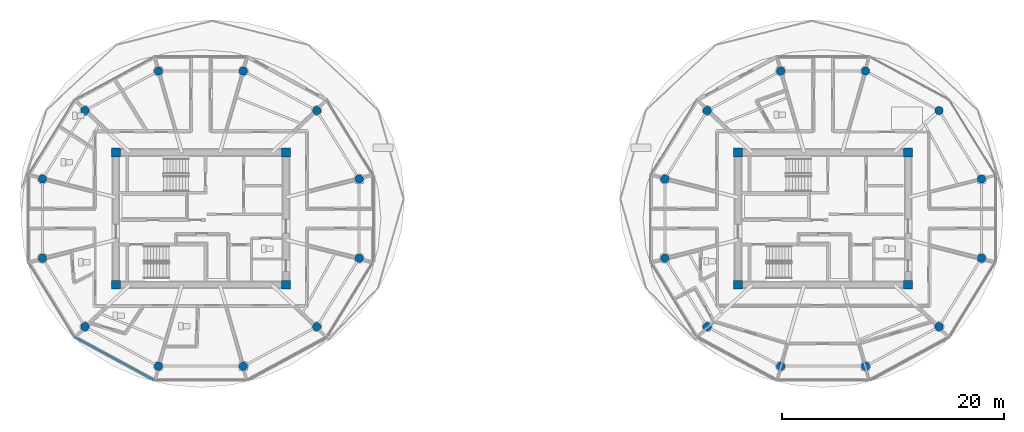
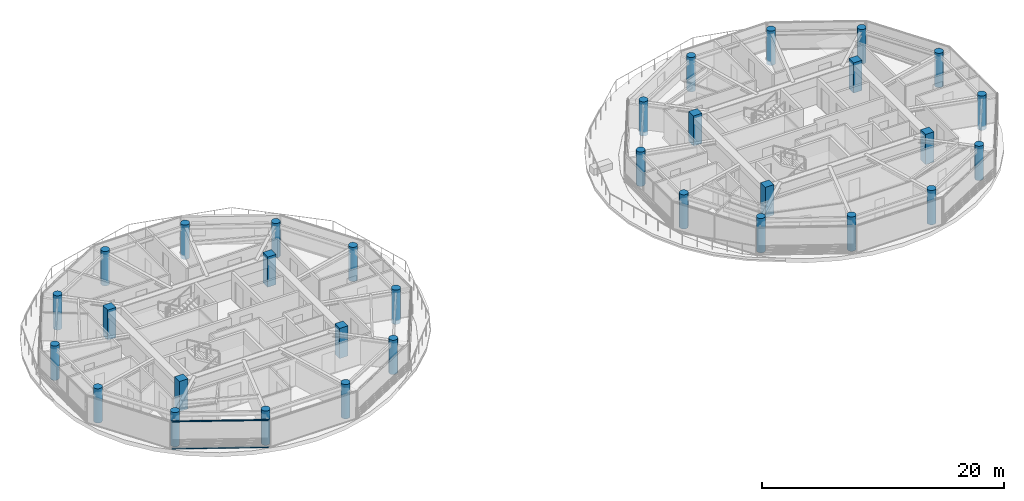
# One storey, part 1 of 28: 32 columns, 2 members, 1 element without a shape of its own.
"""IFC4 building model written with IfcOpenShell, lengths in metres."""

from ifc_helpers import new_model, si_unit, direction, frame, origin, origin_2d, place, context, subcontext, project, spatial, rectangle, circle, extrude, source, transform, mapped, material, layer, layer_set, material_profile, profile_set, type_object, type_shapes, element, aggregate, save


model = new_model("IFC4")

# Units and contexts
model_context = context("Model", 3, precision=1e-05, world=origin(), true_north=direction((0.0, 1.0)))
body_context = subcontext(model_context, "Body", "Model", "MODEL_VIEW")
ifc_project = project(units=[si_unit("LENGTHUNIT", "METRE"), si_unit("AREAUNIT", "SQUARE_METRE"), si_unit("VOLUMEUNIT", "CUBIC_METRE"), si_unit("PLANEANGLEUNIT", "RADIAN"), si_unit("MASSUNIT", "GRAM", prefix="KILO")], contexts=[model_context])

# Site, building, storey
site_placement = place(None, origin())
site = spatial("IfcSite", under=ifc_project, at=site_placement, CompositionType="ELEMENT")
building_placement = place(site_placement, origin())
building = spatial("IfcBuilding", under=site, at=building_placement, Name="Norrkilde Senior Care Towers", CompositionType="ELEMENT")
storey_placement = place(building_placement, frame((0.0, 0.0, 190.64990234375)))
storey = spatial("IfcBuildingStorey", under=building, at=storey_placement, Name="L59", CompositionType="ELEMENT", Elevation=190.64990234375)

# Columns
ifc_material_1 = material(Name="Concrete C60/75", Category="concrete")
ifc_material_profile_1 = material_profile(ifc_material_1, rectangle(XDim=0.800048828125, YDim=0.800048828125, at=origin_2d()), Name="RC COL 800x800")
ifc_profile_set_1 = profile_set([ifc_material_profile_1], Name="Concrete C60/75")
column_type_1 = type_object("IfcColumnType", Name="Column Core Corner Z3-Z4 800", PredefinedType="COLUMN", material=ifc_profile_set_1)
shared_shape_1 = source(origin(), body_context, "Body", "SweptSolid", [
    extrude(rectangle(XDim=0.800048828125, YDim=0.800048828125, at=origin_2d()), origin(), (0.0, 0.0, 1.0), 3.050048828125),
])
type_shapes(column_type_1, [shared_shape_1])
for number, where, z_axis, x_axis, name in (
    (1, (-35.64990234375, -5.949951171875, 0.0), (0.0, 0.0, 1.0), (1.0, 0.0, 0.0), "L59 Core W Corner Column 1"),
    (2, (-20.35009765625, -5.949951171875, 0.0), (0.0, 0.0, 1.0), (1.0, 0.0, 0.0), "L59 Core W Corner Column 2"),
    (3, (-20.35009765625, 5.949951171875, 0.0), (0.0, 0.0, 1.0), (1.0, 0.0, 0.0), "L59 Core W Corner Column 3"),
    (4, (-35.64990234375, 5.949951171875, 0.0), (0.0, 0.0, 1.0), (1.0, 0.0, 0.0), "L59 Core W Corner Column 4"),
    (5, (20.35009765625, -5.949951171875, 0.0), (0.0, 0.0, 1.0), (1.0, 0.0, 0.0), "L59 Core E Corner Column 1"),
    (6, (35.64990234375, -5.949951171875, 0.0), (0.0, 0.0, 1.0), (1.0, 0.0, 0.0), "L59 Core E Corner Column 2"),
    (7, (35.64990234375, 5.949951171875, 0.0), (0.0, 0.0, 1.0), (1.0, 0.0, 0.0), "L59 Core E Corner Column 3"),
    (8, (20.35009765625, 5.949951171875, 0.0), (0.0, 0.0, 1.0), (1.0, 0.0, 0.0), "L59 Core E Corner Column 4"),
):
    element("IfcColumn", number, at=place(storey_placement, frame(where, z_axis=z_axis, x_axis=x_axis)), inside=storey, type_object=column_type_1, Name=name, PredefinedType="COLUMN", context=body_context, shape_type="MappedRepresentation", body=[
        mapped(shared_shape_1, transform((0.0, 0.0, 0.0), x_axis=(1.0, 0.0, 0.0), y_axis=(0.0, 1.0, 0.0), z_axis=(0.0, 0.0, 1.0), scale=1.0)),
    ])
ifc_material_2 = material(Name="Concrete C50/60", Category="concrete")
ifc_material_profile_2 = material_profile(ifc_material_2, circle(Radius=0.375, at=origin_2d()), Name="RC CIR 750")
ifc_profile_set_2 = profile_set([ifc_material_profile_2], Name="Concrete C50/60")
column_type_2 = type_object("IfcColumnType", Name="Column Perimeter Z4 750", PredefinedType="COLUMN", material=ifc_profile_set_2)
shared_shape_2 = source(origin(), body_context, "Body", "SweptSolid", [
    extrude(circle(Radius=0.375, at=origin_2d()), origin(), (0.0, 0.0, 1.0), 3.469970703125),
])
type_shapes(column_type_2, [shared_shape_2])
for number, where, z_axis, x_axis, name in (
    (9, (-13.752685546875, 3.558837890625, -0.419921875), (0.0, 0.0, 1.0), (1.0, 0.0, 0.0), "L59 Drum W Perimeter Column 01"),
    (10, (-17.570068359375, 9.72265625, -0.419921875), (0.0, 0.0, 1.0), (1.0, 0.0, 0.0), "L59 Drum W Perimeter Column 02"),
    (11, (-24.182373046875, 13.281494140625, -0.419921875), (0.0, 0.0, 1.0), (1.0, 0.0, 0.0), "L59 Drum W Perimeter Column 03"),
    (12, (-31.817626953125, 13.281494140625, -0.419921875), (0.0, 0.0, 1.0), (1.0, 0.0, 0.0), "L59 Drum W Perimeter Column 04"),
    (13, (-38.429931640625, 9.72265625, -0.419921875), (0.0, 0.0, 1.0), (1.0, 0.0, 0.0), "L59 Drum W Perimeter Column 05"),
    (14, (-42.247314453125, 3.558837890625, -0.419921875), (0.0, 0.0, 1.0), (1.0, 0.0, 0.0), "L59 Drum W Perimeter Column 06"),
    (15, (-42.247314453125, -3.558837890625, -0.419921875), (0.0, 0.0, 1.0), (1.0, 0.0, 0.0), "L59 Drum W Perimeter Column 07"),
    (16, (-38.429931640625, -9.72265625, -0.419921875), (0.0, 0.0, 1.0), (1.0, 0.0, 0.0), "L59 Drum W Perimeter Column 08"),
    (17, (-31.817626953125, -13.281494140625, -0.419921875), (0.0, 0.0, 1.0), (1.0, 0.0, 0.0), "L59 Drum W Perimeter Column 09"),
    (18, (-24.182373046875, -13.281494140625, -0.419921875), (0.0, 0.0, 1.0), (1.0, 0.0, 0.0), "L59 Drum W Perimeter Column 10"),
    (19, (-17.570068359375, -9.72265625, -0.419921875), (0.0, 0.0, 1.0), (1.0, 0.0, 0.0), "L59 Drum W Perimeter Column 11"),
    (20, (-13.752685546875, -3.558837890625, -0.419921875), (0.0, 0.0, 1.0), (1.0, 0.0, 0.0), "L59 Drum W Perimeter Column 12"),
    (21, (42.247314453125, 3.558837890625, -0.419921875), (0.0, 0.0, 1.0), (1.0, 0.0, 0.0), "L59 Drum E Perimeter Column 01"),
    (22, (38.429931640625, 9.72265625, -0.419921875), (0.0, 0.0, 1.0), (1.0, 0.0, 0.0), "L59 Drum E Perimeter Column 02"),
    (23, (31.817626953125, 13.281494140625, -0.419921875), (0.0, 0.0, 1.0), (1.0, 0.0, 0.0), "L59 Drum E Perimeter Column 03"),
    (24, (24.182373046875, 13.281494140625, -0.419921875), (0.0, 0.0, 1.0), (1.0, 0.0, 0.0), "L59 Drum E Perimeter Column 04"),
    (25, (17.570068359375, 9.72265625, -0.419921875), (0.0, 0.0, 1.0), (1.0, 0.0, 0.0), "L59 Drum E Perimeter Column 05"),
    (26, (13.752685546875, 3.558837890625, -0.419921875), (0.0, 0.0, 1.0), (1.0, 0.0, 0.0), "L59 Drum E Perimeter Column 06"),
    (27, (13.752685546875, -3.558837890625, -0.419921875), (0.0, 0.0, 1.0), (1.0, 0.0, 0.0), "L59 Drum E Perimeter Column 07"),
    (28, (17.570068359375, -9.72265625, -0.419921875), (0.0, 0.0, 1.0), (1.0, 0.0, 0.0), "L59 Drum E Perimeter Column 08"),
    (29, (24.182373046875, -13.281494140625, -0.419921875), (0.0, 0.0, 1.0), (1.0, 0.0, 0.0), "L59 Drum E Perimeter Column 09"),
    (30, (31.817626953125, -13.281494140625, -0.419921875), (0.0, 0.0, 1.0), (1.0, 0.0, 0.0), "L59 Drum E Perimeter Column 10"),
    (31, (38.429931640625, -9.72265625, -0.419921875), (0.0, 0.0, 1.0), (1.0, 0.0, 0.0), "L59 Drum E Perimeter Column 11"),
    (32, (42.247314453125, -3.558837890625, -0.419921875), (0.0, 0.0, 1.0), (1.0, 0.0, 0.0), "L59 Drum E Perimeter Column 12"),
):
    element("IfcColumn", number, at=place(storey_placement, frame(where, z_axis=z_axis, x_axis=x_axis)), inside=storey, type_object=column_type_2, Name=name, PredefinedType="COLUMN", context=body_context, shape_type="MappedRepresentation", body=[
        mapped(shared_shape_2, transform((0.0, 0.0, 0.0), x_axis=(1.0, 0.0, 0.0), y_axis=(0.0, 1.0, 0.0), z_axis=(0.0, 0.0, 1.0), scale=1.0)),
    ])

# Curtain wall, members
ifc_material_3 = material(Name="Triple Low-E Insulated Glazing", Category="glass")
ifc_layer = layer(ifc_material_3, 0.18505859375)
ifc_layer_set = layer_set([ifc_layer], Name="Triple Low-E Insulated Glazing")
curtain_wall_type = type_object("IfcCurtainWallType", Name="CW6 Zone 4 Crown Pavilion Curtain Wall", PredefinedType="NOTDEFINED", material=ifc_layer_set)
curtain_wall_placement = place(storey_placement, origin())
curtain_wall = element("IfcCurtainWall", 33, at=curtain_wall_placement, inside=storey, type_object=curtain_wall_type, Name="L59 Drum W Curtain Wall 07", PredefinedType="NOTDEFINED")
ifc_material_4 = material(Name="Anodised Aluminium", Category="aluminium")
ifc_material_profile_3 = material_profile(ifc_material_4, rectangle(XDim=0.06005859375, YDim=0.1201171875, at=origin_2d()), Name="ALU TRAN 60x120")
ifc_profile_set_3 = profile_set([ifc_material_profile_3], Name="Anodised Aluminium")
member_type = type_object("IfcMemberType", Name="Curtain Wall Transom Typical 60x120", PredefinedType="USERDEFINED", material=ifc_profile_set_3)
shared_shape_3 = source(origin(), body_context, "Body", "SweptSolid", [
    extrude(rectangle(XDim=0.06005859375, YDim=0.1201171875, at=origin_2d()), origin(), (0.0, 0.0, 1.0), 8.0673828125),
])
type_shapes(member_type, [shared_shape_3])
member_1_placement = place(storey_placement, frame((-32.218994140625, -14.53515625, 0.030029296875), z_axis=(-0.87937750072, 0.476125205411, 0.0), x_axis=(-0.476125205411, -0.87937750072, 0.0)))
member_1 = element("IfcMember", 34, at=member_1_placement, type_object=member_type, Name="CW-6 transom 1.1", ObjectType="TRANSOM", PredefinedType="USERDEFINED", context=body_context, shape_type="MappedRepresentation", body=[
    mapped(shared_shape_3, transform((0.0, 0.0, 0.0), x_axis=(1.0, 0.0, 0.0), y_axis=(0.0, 1.0, 0.0), z_axis=(0.0, 0.0, 1.0), scale=1.0)),
])
member_2_placement = place(storey_placement, frame((-32.218994140625, -14.53515625, 2.780029296875), z_axis=(-0.87937750072, 0.476125205411, 0.0), x_axis=(-0.476125205411, -0.87937750072, 0.0)))
member_2 = element("IfcMember", 35, at=member_2_placement, type_object=member_type, Name="CW-6 transom 1.2", ObjectType="TRANSOM", PredefinedType="USERDEFINED", context=body_context, shape_type="MappedRepresentation", body=[
    mapped(shared_shape_3, transform((0.0, 0.0, 0.0), x_axis=(1.0, 0.0, 0.0), y_axis=(0.0, 1.0, 0.0), z_axis=(0.0, 0.0, 1.0), scale=1.0)),
])
aggregate(curtain_wall, [member_1, member_2])

save(model, "model.ifc")
